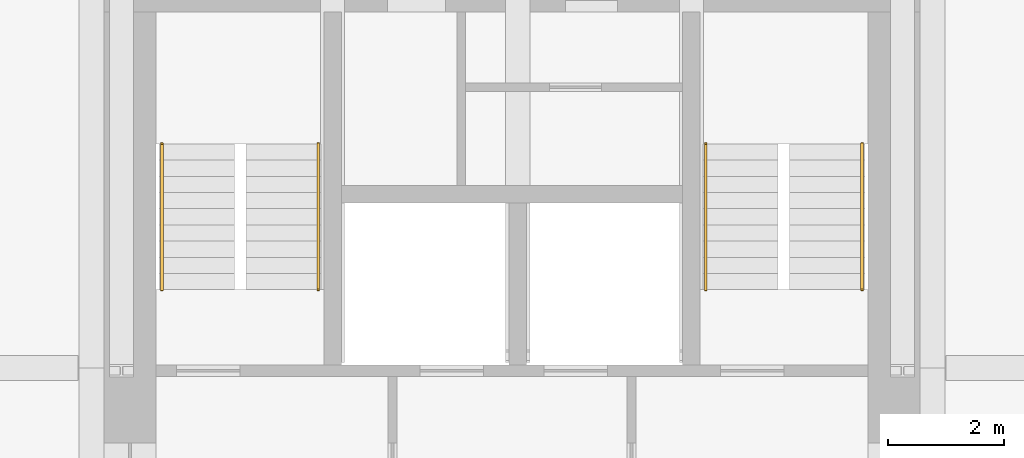
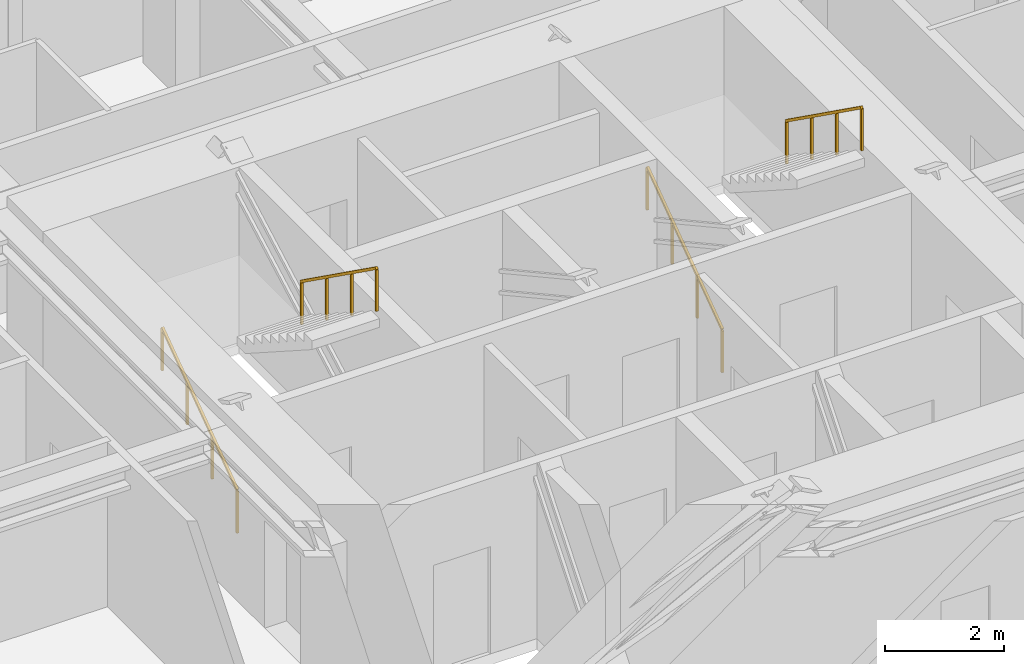
# One storey, part 8 of 8: 4 railings.
"""IFC4 building model written with IfcOpenShell, lengths in metres."""

from ifc_helpers import new_model, si_unit, direction, frame, origin, origin_2d, place, context, subcontext, project, spatial, rectangle, extrude, material, type_object, element, save


model = new_model("IFC4")

# Units and contexts
model_context = context("Model", 3, precision=1e-05, world=origin(), true_north=direction((0.0, 1.0)))
body_context = subcontext(model_context, "Body", "Model", "MODEL_VIEW")
ifc_project = project(units=[si_unit("LENGTHUNIT", "METRE"), si_unit("AREAUNIT", "SQUARE_METRE"), si_unit("VOLUMEUNIT", "CUBIC_METRE"), si_unit("PLANEANGLEUNIT", "RADIAN"), si_unit("MASSUNIT", "GRAM", prefix="KILO")], contexts=[model_context])

# Site, building, storey
site_placement = place(None, origin())
site = spatial("IfcSite", under=ifc_project, at=site_placement, CompositionType="ELEMENT")
building_placement = place(site_placement, origin())
building = spatial("IfcBuilding", under=site, at=building_placement, Name="Nyansa Garden Tower", CompositionType="ELEMENT")
storey_placement = place(building_placement, frame((0.0, 0.0, 207.89990234375)))
storey = spatial("IfcBuildingStorey", under=building, at=storey_placement, Name="L56", CompositionType="ELEMENT", Elevation=207.89990234375)

# Railings
ifc_material = material(Name="Black powder-coated steel tube 48 mm", Category="steel")
railing_type = type_object("IfcRailingType", Name="Stair handrail HR1", PredefinedType="HANDRAIL", material=ifc_material)
railing_1_placement = place(storey_placement, frame((14.199951171875, 21.60009765625, 0.0)))
element("IfcRailing", 1, at=railing_1_placement, inside=storey, type_object=railing_type, Name="Stair S1 handrail L56", PredefinedType="HANDRAIL", context=body_context, shape_type="SweptSolid", body=[
    extrude(rectangle(XDim=0.048095703125, YDim=0.048095703125, at=origin_2d()), frame((0.0, 0.0, 0.8759765625), z_axis=(0.0, 0.813728144527, 0.581245650998), x_axis=(-1.0, 0.0, 0.0)), (0.0, 0.0, 1.0), 3.096923828125),
    extrude(rectangle(XDim=0.0419921875, YDim=0.0419921875, at=origin_2d()), origin(), (0.0, 0.0, 1.0), 0.851806640625),
    extrude(rectangle(XDim=0.0419921875, YDim=0.0419921875, at=origin_2d()), frame((0.0, 0.840087890625, 0.60009765625)), (0.0, 0.0, 1.0), 0.851806640625),
    extrude(rectangle(XDim=0.0419921875, YDim=0.0419921875, at=origin_2d()), frame((0.0, 1.679931640625, 1.199951171875)), (0.0, 0.0, 1.0), 0.851806640625),
    extrude(rectangle(XDim=0.0419921875, YDim=0.0419921875, at=origin_2d()), frame((0.0, 2.52001953125, 1.800048828125)), (0.0, 0.0, 1.0), 0.851806640625),
])
railing_2_placement = place(storey_placement, frame((16.89990234375, 24.1201171875, 1.800048828125)))
element("IfcRailing", 2, at=railing_2_placement, inside=storey, type_object=railing_type, Name="Stair S1 handrail L56", PredefinedType="HANDRAIL", context=body_context, shape_type="SweptSolid", body=[
    extrude(rectangle(XDim=0.048095703125, YDim=0.048095703125, at=origin_2d()), frame((0.0, 0.0, 0.8759765625), z_axis=(0.0, -0.813728144527, 0.581245650998), x_axis=(1.0, 0.0, 0.0)), (0.0, 0.0, 1.0), 3.096923828125),
    extrude(rectangle(XDim=0.0419921875, YDim=0.0419921875, at=origin_2d()), origin(), (0.0, 0.0, 1.0), 0.851806640625),
    extrude(rectangle(XDim=0.0419921875, YDim=0.0419921875, at=origin_2d()), frame((0.0, -0.840087890625, 0.60009765625)), (0.0, 0.0, 1.0), 0.851806640625),
    extrude(rectangle(XDim=0.0419921875, YDim=0.0419921875, at=origin_2d()), frame((0.0, -1.679931640625, 1.199951171875)), (0.0, 0.0, 1.0), 0.851806640625),
    extrude(rectangle(XDim=0.0419921875, YDim=0.0419921875, at=origin_2d()), frame((0.0, -2.52001953125, 1.800048828125)), (0.0, 0.0, 1.0), 0.851806640625),
])
railing_3_placement = place(storey_placement, frame((23.60009765625, 21.60009765625, 0.0)))
element("IfcRailing", 3, at=railing_3_placement, inside=storey, type_object=railing_type, Name="Stair S2 handrail L56", PredefinedType="HANDRAIL", context=body_context, shape_type="SweptSolid", body=[
    extrude(rectangle(XDim=0.048095703125, YDim=0.048095703125, at=origin_2d()), frame((0.0, 0.0, 0.8759765625), z_axis=(0.0, 0.813728144527, 0.581245650998), x_axis=(-1.0, 0.0, 0.0)), (0.0, 0.0, 1.0), 3.096923828125),
    extrude(rectangle(XDim=0.0419921875, YDim=0.0419921875, at=origin_2d()), origin(), (0.0, 0.0, 1.0), 0.851806640625),
    extrude(rectangle(XDim=0.0419921875, YDim=0.0419921875, at=origin_2d()), frame((0.0, 0.840087890625, 0.60009765625)), (0.0, 0.0, 1.0), 0.851806640625),
    extrude(rectangle(XDim=0.0419921875, YDim=0.0419921875, at=origin_2d()), frame((0.0, 1.679931640625, 1.199951171875)), (0.0, 0.0, 1.0), 0.851806640625),
    extrude(rectangle(XDim=0.0419921875, YDim=0.0419921875, at=origin_2d()), frame((0.0, 2.52001953125, 1.800048828125)), (0.0, 0.0, 1.0), 0.851806640625),
])
railing_4_placement = place(storey_placement, frame((26.300048828125, 24.1201171875, 1.800048828125)))
element("IfcRailing", 4, at=railing_4_placement, inside=storey, type_object=railing_type, Name="Stair S2 handrail L56", PredefinedType="HANDRAIL", context=body_context, shape_type="SweptSolid", body=[
    extrude(rectangle(XDim=0.048095703125, YDim=0.048095703125, at=origin_2d()), frame((0.0, 0.0, 0.8759765625), z_axis=(0.0, -0.813728144527, 0.581245650998), x_axis=(1.0, 0.0, 0.0)), (0.0, 0.0, 1.0), 3.096923828125),
    extrude(rectangle(XDim=0.0419921875, YDim=0.0419921875, at=origin_2d()), origin(), (0.0, 0.0, 1.0), 0.851806640625),
    extrude(rectangle(XDim=0.0419921875, YDim=0.0419921875, at=origin_2d()), frame((0.0, -0.840087890625, 0.60009765625)), (0.0, 0.0, 1.0), 0.851806640625),
    extrude(rectangle(XDim=0.0419921875, YDim=0.0419921875, at=origin_2d()), frame((0.0, -1.679931640625, 1.199951171875)), (0.0, 0.0, 1.0), 0.851806640625),
    extrude(rectangle(XDim=0.0419921875, YDim=0.0419921875, at=origin_2d()), frame((0.0, -2.52001953125, 1.800048828125)), (0.0, 0.0, 1.0), 0.851806640625),
])

save(model, "model.ifc")
